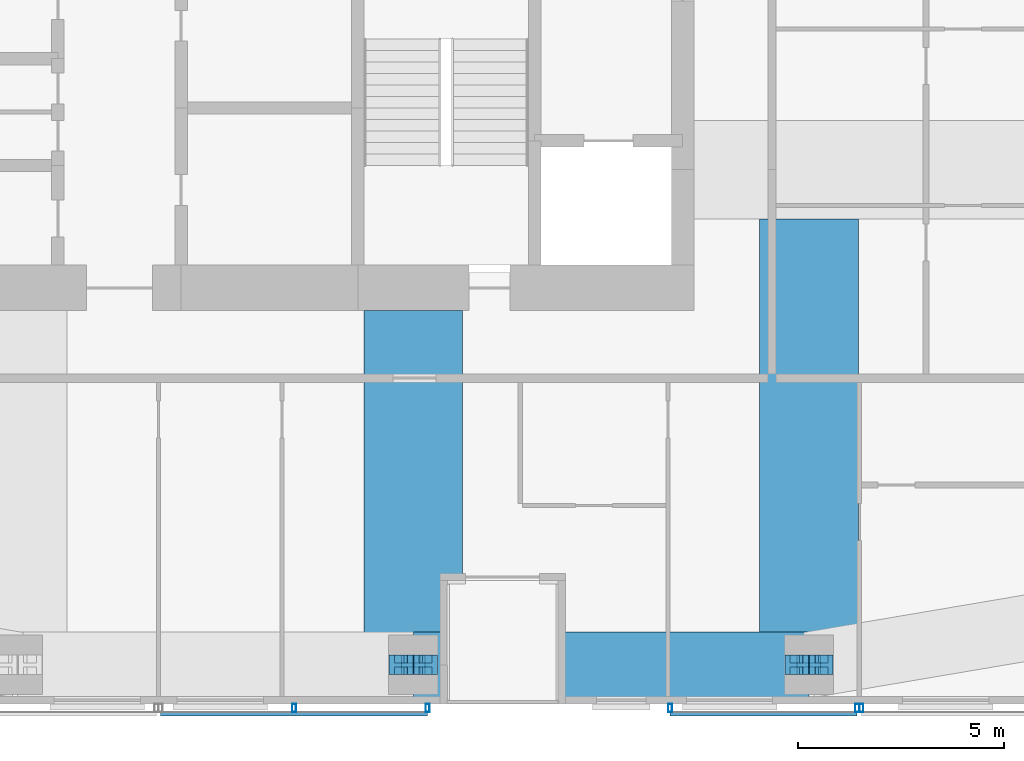
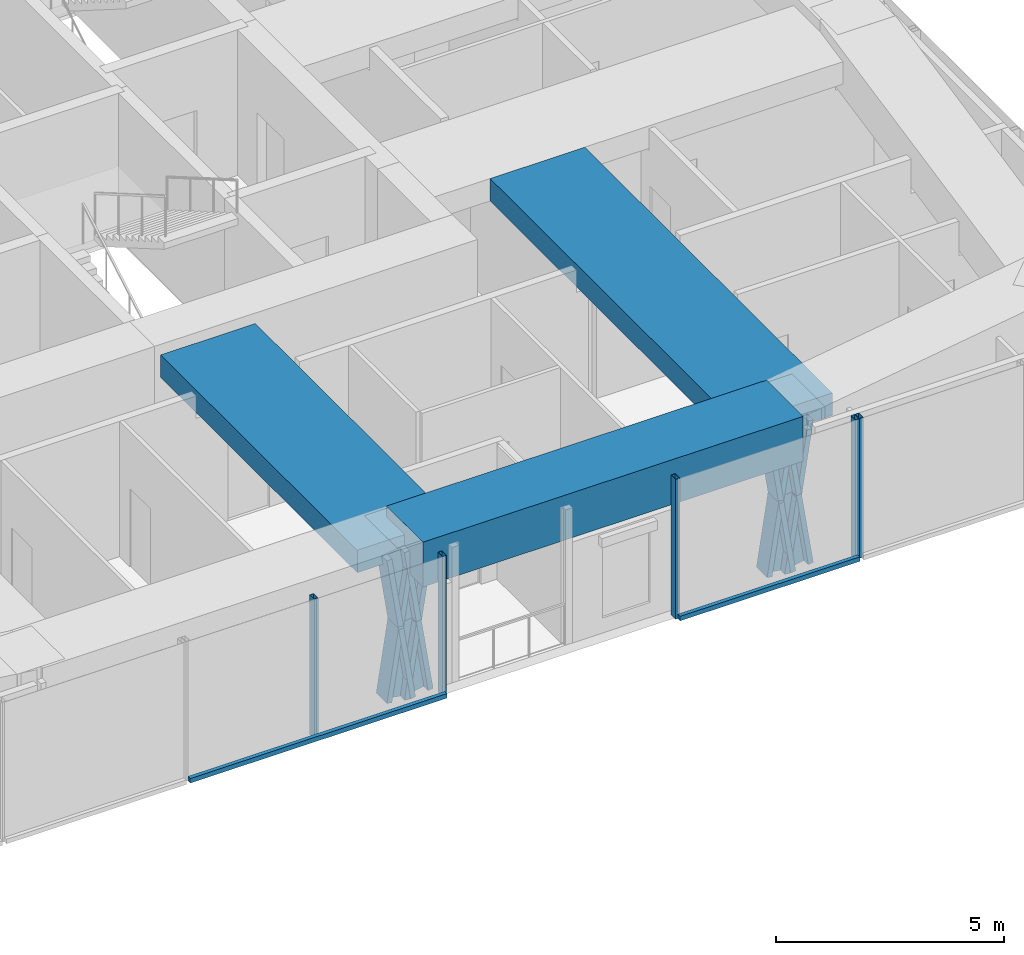
# One storey, part 5 of 20: 15 members, 3 beams, 3 elements without a shape of their own.
"""IFC4 building model written with IfcOpenShell, lengths in metres."""

from ifc_helpers import new_model, si_unit, direction, frame, origin, origin_2d, place, context, subcontext, project, spatial, rectangle, hollow_rectangle, i_section, extrude, material, material_profile, profile_set, type_object, element, aggregate, save


model = new_model("IFC4")

# Units and contexts
model_context = context("Model", 3, precision=1e-05, world=origin(), true_north=direction((0.0, 1.0)))
body_context = subcontext(model_context, "Body", "Model", "MODEL_VIEW")
ifc_project = project(units=[si_unit("LENGTHUNIT", "METRE"), si_unit("AREAUNIT", "SQUARE_METRE"), si_unit("VOLUMEUNIT", "CUBIC_METRE"), si_unit("PLANEANGLEUNIT", "RADIAN"), si_unit("MASSUNIT", "GRAM", prefix="KILO")], contexts=[model_context])

# Site, building, storey
site_placement = place(None, origin())
site = spatial("IfcSite", under=ifc_project, at=site_placement, CompositionType="ELEMENT")
building_placement = place(site_placement, origin())
building = spatial("IfcBuilding", under=site, at=building_placement, Name="Jalousie Tower", CompositionType="ELEMENT")
storey_placement = place(building_placement, frame((0.0, 0.0, 263.85009765625)))
storey = spatial("IfcBuildingStorey", under=building, at=storey_placement, Name="L72", CompositionType="ELEMENT", Elevation=263.85009765625)

# Members
ifc_material_1 = material(Name="Steel ASTM A992 Grade 50", Category="steel")
ifc_material_profile_1 = material_profile(ifc_material_1, i_section(OverallWidth=0.472412109375, OverallDepth=0.5791015625, WebThickness=0.094970703125, FlangeThickness=0.1298828125, at=origin_2d()), Name="W14X808")
ifc_profile_set_1 = profile_set([ifc_material_profile_1], Name="Steel ASTM A992 Grade 50")
member_type_1 = type_object("IfcMemberType", Name="PERIMETER BRACE W14X808", PredefinedType="BRACE", material=ifc_profile_set_1)
for number, where, z_axis, x_axis, name in (
    (1, (36.949951171875, 0.949951171875, -0.60009765625), (0.152085080919, 0.0, 0.988367405453), (0.0, 1.0, 0.0), "Perimeter brace 03 L72 part 1"),
    (2, (37.25, 0.949951171875, 1.349853515625), (0.152085080919, 0.0, 0.988367405453), (0.0, 1.0, 0.0), "Perimeter brace 03 L72 part 2"),
    (3, (37.550048828125, 0.949951171875, -0.60009765625), (-0.152085080919, 0.0, 0.988367405453), (0.0, -1.0, 0.0), "Perimeter brace 03 L72 part 3"),
    (4, (37.25, 0.949951171875, 1.349853515625), (-0.152085080919, 0.0, 0.988367405453), (0.0, -1.0, 0.0), "Perimeter brace 03 L72 part 4"),
    (5, (46.574951171875, 0.949951171875, -0.60009765625), (0.152085080919, 0.0, 0.988367405453), (0.0, 1.0, 0.0), "Perimeter brace 04 L72 part 1"),
    (6, (46.875, 0.949951171875, 1.349853515625), (0.152085080919, 0.0, 0.988367405453), (0.0, 1.0, 0.0), "Perimeter brace 04 L72 part 2"),
    (7, (47.175048828125, 0.949951171875, -0.60009765625), (-0.152085080919, 0.0, 0.988367405453), (0.0, -1.0, 0.0), "Perimeter brace 04 L72 part 3"),
    (8, (46.875, 0.949951171875, 1.349853515625), (-0.152085080919, 0.0, 0.988367405453), (0.0, -1.0, 0.0), "Perimeter brace 04 L72 part 4"),
):
    element("IfcMember", number, at=place(storey_placement, frame(where, z_axis=z_axis, x_axis=x_axis)), inside=storey, type_object=member_type_1, Name=name, PredefinedType="BRACE", context=body_context, shape_type="SweptSolid", body=[
        extrude(i_section(OverallWidth=0.472412109375, OverallDepth=0.5791015625, WebThickness=0.094970703125, FlangeThickness=0.1298828125, at=origin_2d()), origin(), (0.0, 0.0, 1.0), 1.972900390625),
    ])

# Beams
ifc_material_2 = material(Name="Concrete f'c 40 MPa", Category="concrete")
ifc_material_profile_2 = material_profile(ifc_material_2, rectangle(XDim=1.60009765625, YDim=1.199951171875, at=origin_2d()), Name="RC 1600x1200")
ifc_profile_set_2 = profile_set([ifc_material_profile_2], Name="Concrete f'c 40 MPa")
beam_type_1 = type_object("IfcBeamType", Name="RC BEAM 1600x1200", PredefinedType="BEAM", material=ifc_profile_set_2)
beam_1_placement = place(storey_placement, frame((37.25, 0.949951171875, 3.2998046875), z_axis=(1.0, 0.0, 0.0), x_axis=(0.0, 1.0, 0.0)))
element("IfcBeam", 9, at=beam_1_placement, inside=storey, type_object=beam_type_1, Name="Edge band beam 03-04 under L73", PredefinedType="BEAM", context=body_context, shape_type="SweptSolid", body=[
    extrude(rectangle(XDim=1.60009765625, YDim=1.199951171875, at=origin_2d()), origin(), (0.0, 0.0, 1.0), 9.625),
])
ifc_material_3 = material(Name="Concrete f'c 40 MPa", Category="concrete")
ifc_material_profile_3 = material_profile(ifc_material_3, rectangle(XDim=2.39990234375, YDim=0.60009765625, at=origin_2d()), Name="RC 2400x600")
ifc_profile_set_3 = profile_set([ifc_material_profile_3], Name="Concrete f'c 40 MPa")
beam_type_2 = type_object("IfcBeamType", Name="RC BEAM 2400x600", PredefinedType="BEAM", material=ifc_profile_set_3)
beam_2_placement = place(storey_placement, frame((37.25, 0.949951171875, 3.31982421875), z_axis=(0.0, 1.0, 0.0), x_axis=(-1.0, 0.0, 0.0)))
element("IfcBeam", 10, at=beam_2_placement, inside=storey, type_object=beam_type_2, Name="Floor band beam under L73", PredefinedType="BEAM", context=body_context, shape_type="SweptSolid", body=[
    extrude(rectangle(XDim=2.39990234375, YDim=0.60009765625, at=origin_2d()), origin(), (0.0, 0.0, 1.0), 8.625),
])
beam_3_placement = place(storey_placement, frame((46.875, 0.949951171875, 3.31982421875), z_axis=(0.0, 1.0, 0.0), x_axis=(-1.0, 0.0, 0.0)))
element("IfcBeam", 11, at=beam_3_placement, inside=storey, type_object=beam_type_2, Name="Floor band beam under L73", PredefinedType="BEAM", context=body_context, shape_type="SweptSolid", body=[
    extrude(rectangle(XDim=2.39990234375, YDim=0.60009765625, at=origin_2d()), origin(), (0.0, 0.0, 1.0), 10.85009765625),
])

# Curtain wall, members
ifc_material_4 = material(Name="Perforated aluminium sheet", Category="aluminium")
curtain_wall_type = type_object("IfcCurtainWallType", Name="SOLAR SCREEN SS-2", PredefinedType="USERDEFINED", material=ifc_material_4)
curtain_wall_1_placement = place(storey_placement, origin())
curtain_wall_1 = element("IfcCurtainWall", 12, at=curtain_wall_1_placement, inside=storey, type_object=curtain_wall_type, Name="Solar screen L72", ObjectType="SOLAR SCREEN SS-2", PredefinedType="USERDEFINED")
ifc_material_5 = material(Name="Steel ASTM A500 Grade C", Category="steel")
ifc_material_profile_4 = material_profile(ifc_material_5, hollow_rectangle(XDim=0.1015625, YDim=0.203125, WallThickness=0.0078125, at=origin_2d()), Name="HSS8X4X5/16")
ifc_profile_set_4 = profile_set([ifc_material_profile_4], Name="Steel ASTM A500 Grade C")
member_type_2 = type_object("IfcMemberType", Name="SOLAR SCREEN SS-2 MULLION", PredefinedType="MULLION", material=ifc_profile_set_4)
member_1_placement = place(storey_placement, frame((34.35009765625, -0.0966796875, -0.1201171875), z_axis=(0.0, 0.0, 1.0), x_axis=(1.0, 0.0, 0.0)))
member_1 = element("IfcMember", 13, at=member_1_placement, type_object=member_type_2, Name="SS2 post 2", PredefinedType="MULLION", context=body_context, shape_type="SweptSolid", body=[
    extrude(hollow_rectangle(XDim=0.1015625, YDim=0.203125, WallThickness=0.0078125, at=origin_2d()), origin(), (0.0, 0.0, 1.0), 3.739990234375),
])
member_2_placement = place(storey_placement, frame((37.60009765625, -0.0966796875, -0.1201171875), z_axis=(0.0, 0.0, 1.0), x_axis=(1.0, 0.0, 0.0)))
member_2 = element("IfcMember", 14, at=member_2_placement, type_object=member_type_2, Name="SS2 post 3", PredefinedType="MULLION", context=body_context, shape_type="SweptSolid", body=[
    extrude(hollow_rectangle(XDim=0.1015625, YDim=0.203125, WallThickness=0.0078125, at=origin_2d()), origin(), (0.0, 0.0, 1.0), 3.739990234375),
])

curtain_wall_2_placement = place(storey_placement, origin())
curtain_wall_2 = element("IfcCurtainWall", 15, at=curtain_wall_2_placement, inside=storey, type_object=curtain_wall_type, Name="Solar screen L72", ObjectType="SOLAR SCREEN SS-2", PredefinedType="USERDEFINED")
member_3_placement = place(storey_placement, frame((43.5, -0.0966796875, -0.1201171875), z_axis=(0.0, 0.0, 1.0), x_axis=(1.0, 0.0, 0.0)))
member_3 = element("IfcMember", 16, at=member_3_placement, type_object=member_type_2, Name="SS2 post 1", PredefinedType="MULLION", context=body_context, shape_type="SweptSolid", body=[
    extrude(hollow_rectangle(XDim=0.1015625, YDim=0.203125, WallThickness=0.0078125, at=origin_2d()), origin(), (0.0, 0.0, 1.0), 3.739990234375),
])
member_4_placement = place(storey_placement, frame((48.050048828125, -0.0966796875, -0.1201171875), z_axis=(0.0, 0.0, 1.0), x_axis=(1.0, 0.0, 0.0)))
member_4 = element("IfcMember", 17, at=member_4_placement, type_object=member_type_2, Name="SS2 post 2", PredefinedType="MULLION", context=body_context, shape_type="SweptSolid", body=[
    extrude(hollow_rectangle(XDim=0.1015625, YDim=0.203125, WallThickness=0.0078125, at=origin_2d()), origin(), (0.0, 0.0, 1.0), 3.739990234375),
])

# Curtain wall, member
curtain_wall_3_placement = place(storey_placement, origin())
curtain_wall_3 = element("IfcCurtainWall", 18, at=curtain_wall_3_placement, inside=storey, type_object=curtain_wall_type, Name="Solar screen L72", ObjectType="SOLAR SCREEN SS-2", PredefinedType="USERDEFINED")
member_5_placement = place(storey_placement, frame((48.14990234375, -0.0966796875, -0.1201171875), z_axis=(0.0, 0.0, 1.0), x_axis=(1.0, 0.0, 0.0)))
member_5 = element("IfcMember", 19, at=member_5_placement, type_object=member_type_2, Name="SS2 post 1", PredefinedType="MULLION", context=body_context, shape_type="SweptSolid", body=[
    extrude(hollow_rectangle(XDim=0.1015625, YDim=0.203125, WallThickness=0.0078125, at=origin_2d()), origin(), (0.0, 0.0, 1.0), 3.739990234375),
])
aggregate(curtain_wall_3, [member_5])

# Member
ifc_material_6 = material(Name="Extruded aluminium screen rail", Category="aluminium")
ifc_material_profile_5 = material_profile(ifc_material_6, rectangle(XDim=0.1015625, YDim=0.1201171875, at=origin_2d()), Name="RAIL 102x120")
ifc_profile_set_5 = profile_set([ifc_material_profile_5], Name="Extruded aluminium screen rail")
member_type_3 = type_object("IfcMemberType", Name="SOLAR SCREEN SS-2 TRANSOM", PredefinedType="USERDEFINED", material=ifc_profile_set_5)
member_6_placement = place(storey_placement, frame((31.10009765625, -0.2490234375, -0.06005859375), z_axis=(1.0, 0.0, 0.0), x_axis=(0.0, 1.0, 0.0)))
member_6 = element("IfcMember", 20, at=member_6_placement, type_object=member_type_3, Name="SS2 rail", ObjectType="TRANSOM", PredefinedType="USERDEFINED", context=body_context, shape_type="SweptSolid", body=[
    extrude(rectangle(XDim=0.1015625, YDim=0.1201171875, at=origin_2d()), origin(), (0.0, 0.0, 1.0), 6.5),
])

aggregate(curtain_wall_1, [member_1, member_2, member_6])

member_7_placement = place(storey_placement, frame((43.5, -0.2490234375, -0.06005859375), z_axis=(1.0, 0.0, 0.0), x_axis=(0.0, 1.0, 0.0)))
member_7 = element("IfcMember", 21, at=member_7_placement, type_object=member_type_3, Name="SS2 rail", ObjectType="TRANSOM", PredefinedType="USERDEFINED", context=body_context, shape_type="SweptSolid", body=[
    extrude(rectangle(XDim=0.1015625, YDim=0.1201171875, at=origin_2d()), origin(), (0.0, 0.0, 1.0), 4.550048828125),
])

aggregate(curtain_wall_2, [member_3, member_4, member_7])

save(model, "model.ifc")
